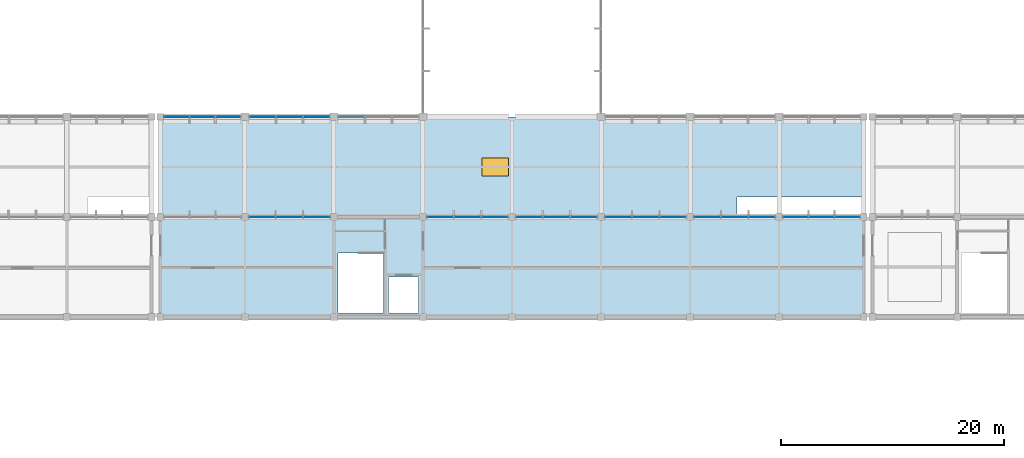
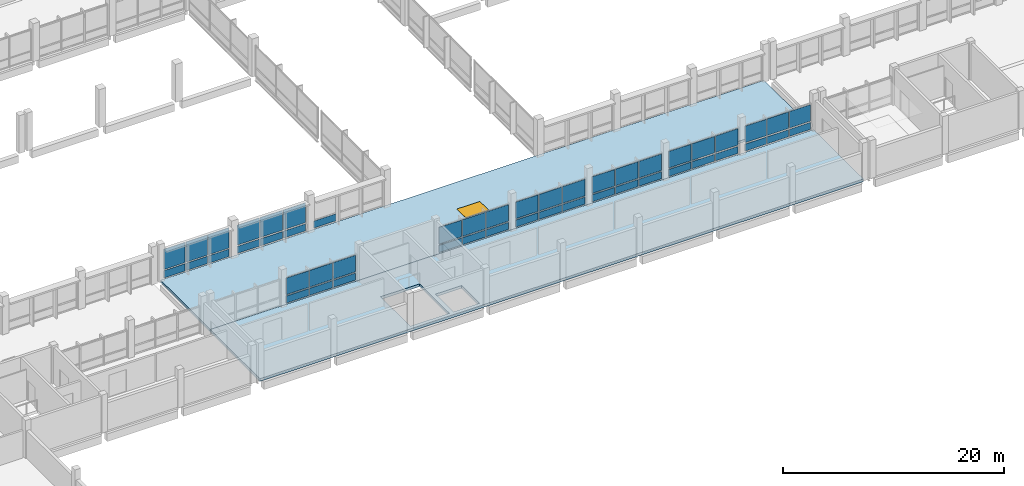
# One storey, part 45 of 70: 49 plates, 2 slabs, 1 window, 1 opening, 9 elements without a shape of their own.
"""IFC4 building model written with IfcOpenShell, lengths in metres."""

from ifc_helpers import new_model, si_unit, direction, frame, origin, origin_2d, place, context, subcontext, project, spatial, polyline, rectangle, outline, extrude, material, layer, layer_set, type_object, element, fill, aggregate, save


model = new_model("IFC4")

# Units and contexts
model_context = context("Model", 3, precision=1e-05, world=origin(), true_north=direction((0.0, 1.0)))
body_context = subcontext(model_context, "Body", "Model", "MODEL_VIEW")
ifc_project = project(units=[si_unit("LENGTHUNIT", "METRE"), si_unit("AREAUNIT", "SQUARE_METRE"), si_unit("VOLUMEUNIT", "CUBIC_METRE"), si_unit("PLANEANGLEUNIT", "RADIAN"), si_unit("MASSUNIT", "GRAM", prefix="KILO"), si_unit("THERMODYNAMICTEMPERATUREUNIT", "KELVIN"), si_unit("POWERUNIT", "WATT")], contexts=[model_context])

# Site, building, storey
site_placement = place(None, origin())
site = spatial("IfcSite", under=ifc_project, at=site_placement, CompositionType="ELEMENT")
building_placement = place(site_placement, origin())
building = spatial("IfcBuilding", under=site, at=building_placement, Name="Kronsvod Quay Wholesale Market", CompositionType="ELEMENT")
storey_placement = place(building_placement, frame((0.0, 0.0, 9.0)))
storey = spatial("IfcBuildingStorey", under=building, at=storey_placement, Name="L02", CompositionType="ELEMENT", Elevation=9.0)

# Curtain wall, plates
ifc_material_1 = material(Name="Thermally broken aluminium and triple low-E glazing", Category="aluminium")
curtain_wall_type_1 = type_object("IfcCurtainWallType", Name="CW_Clerestory80x32", PredefinedType="NOTDEFINED", material=ifc_material_1)
curtain_wall_1_placement = place(storey_placement, origin())
curtain_wall_1 = element("IfcCurtainWall", 1, at=curtain_wall_1_placement, inside=storey, type_object=curtain_wall_type_1, Name="CWGX-L02-644-540", PredefinedType="NOTDEFINED")
ifc_material_2 = material(Name="Insulated aluminium spandrel panel", Category="aluminium")
ifc_layer_1 = layer(ifc_material_2, 0.048095703125)
ifc_layer_set_1 = layer_set([ifc_layer_1], Name="Insulated aluminium spandrel panel")
plate_type_1 = type_object("IfcPlateType", Name="CWPanel_SP2223x820", PredefinedType="CURTAIN_PANEL", material=ifc_layer_set_1)
plate_1_placement = place(storey_placement, frame((65.871337890625, 54.0, 0.1201171875), z_axis=(0.0, 0.0, 1.0), x_axis=(1.0, 0.0, 0.0)))
plate_1 = element("IfcPlate", 2, at=plate_1_placement, type_object=plate_type_1, Name="CWGX-L02-644-540-PS1", PredefinedType="CURTAIN_PANEL", context=body_context, shape_type="SweptSolid", body=[
    extrude(rectangle(XDim=2.222900390625, YDim=0.048095703125, at=origin_2d()), origin(), (0.0, 0.0, 1.0), 0.820068359375),
])
plate_2_placement = place(storey_placement, frame((70.478759765625, 54.0, 0.1201171875), z_axis=(0.0, 0.0, 1.0), x_axis=(1.0, 0.0, 0.0)))
plate_2 = element("IfcPlate", 3, at=plate_2_placement, type_object=plate_type_1, Name="CWGX-L02-644-540-PS3", PredefinedType="CURTAIN_PANEL", context=body_context, shape_type="SweptSolid", body=[
    extrude(rectangle(XDim=2.222900390625, YDim=0.048095703125, at=origin_2d()), origin(), (0.0, 0.0, 1.0), 0.820068359375),
])

ifc_material_3 = material(Name="Thermally broken aluminium and triple low-E glazing", Category="aluminium")
curtain_wall_type_2 = type_object("IfcCurtainWallType", Name="CW_Harbour76x33", PredefinedType="NOTDEFINED", material=ifc_material_3)
curtain_wall_2_placement = place(storey_placement, origin())
curtain_wall_2 = element("IfcCurtainWall", 4, at=curtain_wall_2_placement, inside=storey, type_object=curtain_wall_type_2, Name="CWGX-L02-1200-450", PredefinedType="NOTDEFINED")
ifc_material_4 = material(Name="Insulated aluminium spandrel panel", Category="aluminium")
ifc_layer_2 = layer(ifc_material_4, 0.048095703125)
ifc_layer_set_2 = layer_set([ifc_layer_2], Name="Insulated aluminium spandrel panel")
plate_type_2 = type_object("IfcPlateType", Name="CWPanel_SP2224x775", PredefinedType="CURTAIN_PANEL", material=ifc_layer_set_2)
plate_3_placement = place(storey_placement, frame((126.117919921875, 45.0, 0.150146484375), z_axis=(0.0, 0.0, 1.0), x_axis=(-1.0, 0.0, 0.0)))
plate_3 = element("IfcPlate", 5, at=plate_3_placement, type_object=plate_type_2, Name="CWGX-L02-1200-450-PS1", PredefinedType="CURTAIN_PANEL", context=body_context, shape_type="SweptSolid", body=[
    extrude(rectangle(XDim=2.22412109375, YDim=0.048095703125, at=origin_2d()), origin(), (0.0, 0.0, 1.0), 0.77490234375),
])
plate_4_placement = place(storey_placement, frame((121.482177734375, 45.0, 0.150146484375), z_axis=(0.0, 0.0, 1.0), x_axis=(-1.0, 0.0, 0.0)))
plate_4 = element("IfcPlate", 6, at=plate_4_placement, type_object=plate_type_2, Name="CWGX-L02-1200-450-PS3", PredefinedType="CURTAIN_PANEL", context=body_context, shape_type="SweptSolid", body=[
    extrude(rectangle(XDim=2.22412109375, YDim=0.048095703125, at=origin_2d()), origin(), (0.0, 0.0, 1.0), 0.77490234375),
])

# Plate
ifc_material_5 = material(Name="Insulated aluminium spandrel panel", Category="aluminium")
ifc_layer_3 = layer(ifc_material_5, 0.048095703125)
ifc_layer_set_3 = layer_set([ifc_layer_3], Name="Insulated aluminium spandrel panel")
plate_type_3 = type_object("IfcPlateType", Name="CWPanel_SP2255x820", PredefinedType="CURTAIN_PANEL", material=ifc_layer_set_3)
plate_5_placement = place(storey_placement, frame((68.175048828125, 54.0, 0.1201171875), z_axis=(0.0, 0.0, 1.0), x_axis=(1.0, 0.0, 0.0)))
plate_5 = element("IfcPlate", 7, at=plate_5_placement, type_object=plate_type_3, Name="CWGX-L02-644-540-PS2", PredefinedType="CURTAIN_PANEL", context=body_context, shape_type="SweptSolid", body=[
    extrude(rectangle(XDim=2.2548828125, YDim=0.048095703125, at=origin_2d()), origin(), (0.0, 0.0, 1.0), 0.820068359375),
])

ifc_material_6 = material(Name="Insulated aluminium spandrel panel", Category="aluminium")
ifc_layer_4 = layer(ifc_material_6, 0.048095703125)
ifc_layer_set_4 = layer_set([ifc_layer_4], Name="Insulated aluminium spandrel panel")
plate_type_4 = type_object("IfcPlateType", Name="CWPanel_SP2262x775", PredefinedType="CURTAIN_PANEL", material=ifc_layer_set_4)
plate_6_placement = place(storey_placement, frame((123.800048828125, 45.0, 0.150146484375), z_axis=(0.0, 0.0, 1.0), x_axis=(-1.0, 0.0, 0.0)))
plate_6 = element("IfcPlate", 8, at=plate_6_placement, type_object=plate_type_4, Name="CWGX-L02-1200-450-PS2", PredefinedType="CURTAIN_PANEL", context=body_context, shape_type="SweptSolid", body=[
    extrude(rectangle(XDim=2.261962890625, YDim=0.048095703125, at=origin_2d()), origin(), (0.0, 0.0, 1.0), 0.77490234375),
])

# Curtain wall, plates
curtain_wall_3_placement = place(storey_placement, origin())
curtain_wall_3 = element("IfcCurtainWall", 9, at=curtain_wall_3_placement, inside=storey, type_object=curtain_wall_type_1, Name="CWGX-L02-720-540", PredefinedType="NOTDEFINED")
ifc_material_7 = material(Name="Insulated aluminium spandrel panel", Category="aluminium")
ifc_layer_5 = layer(ifc_material_7, 0.048095703125)
ifc_layer_set_5 = layer_set([ifc_layer_5], Name="Insulated aluminium spandrel panel")
plate_type_5 = type_object("IfcPlateType", Name="CWPanel_SP2324x775", PredefinedType="CURTAIN_PANEL", material=ifc_layer_set_5)
plate_7_placement = place(storey_placement, frame((73.58203125, 54.0, 0.150146484375), z_axis=(0.0, 0.0, 1.0), x_axis=(1.0, 0.0, 0.0)))
plate_7 = element("IfcPlate", 10, at=plate_7_placement, type_object=plate_type_5, Name="CWGX-L02-720-540-PS1", PredefinedType="CURTAIN_PANEL", context=body_context, shape_type="SweptSolid", body=[
    extrude(rectangle(XDim=2.323974609375, YDim=0.048095703125, at=origin_2d()), origin(), (0.0, 0.0, 1.0), 0.77490234375),
])
plate_8_placement = place(storey_placement, frame((78.41796875, 54.0, 0.150146484375), z_axis=(0.0, 0.0, 1.0), x_axis=(1.0, 0.0, 0.0)))
plate_8 = element("IfcPlate", 11, at=plate_8_placement, type_object=plate_type_5, Name="CWGX-L02-720-540-PS3", PredefinedType="CURTAIN_PANEL", context=body_context, shape_type="SweptSolid", body=[
    extrude(rectangle(XDim=2.323974609375, YDim=0.048095703125, at=origin_2d()), origin(), (0.0, 0.0, 1.0), 0.77490234375),
])

# Curtain wall, plate
curtain_wall_4_placement = place(storey_placement, origin())
curtain_wall_4 = element("IfcCurtainWall", 12, at=curtain_wall_4_placement, inside=storey, type_object=curtain_wall_type_1, Name="CWGX-L02-800-540", PredefinedType="NOTDEFINED")
plate_9_placement = place(storey_placement, frame((81.58203125, 54.0, 0.150146484375), z_axis=(0.0, 0.0, 1.0), x_axis=(1.0, 0.0, 0.0)))
plate_9 = element("IfcPlate", 13, at=plate_9_placement, type_object=plate_type_5, Name="CWGX-L02-800-540-PS1", PredefinedType="CURTAIN_PANEL", context=body_context, shape_type="SweptSolid", body=[
    extrude(rectangle(XDim=2.323974609375, YDim=0.048095703125, at=origin_2d()), origin(), (0.0, 0.0, 1.0), 0.77490234375),
])
aggregate(curtain_wall_4, [plate_9])

ifc_material_8 = material(Name="Thermally broken aluminium and triple low-E glazing", Category="aluminium")
curtain_wall_type_3 = type_object("IfcCurtainWallType", Name="CW_Harbour80x33", PredefinedType="NOTDEFINED", material=ifc_material_8)
curtain_wall_5_placement = place(storey_placement, origin())
curtain_wall_5 = element("IfcCurtainWall", 14, at=curtain_wall_5_placement, inside=storey, type_object=curtain_wall_type_3, Name="CWGX-L02-720-450", PredefinedType="NOTDEFINED")
ifc_material_9 = material(Name="Insulated aluminium spandrel panel", Category="aluminium")
ifc_layer_6 = layer(ifc_material_9, 0.048095703125)
ifc_layer_set_6 = layer_set([ifc_layer_6], Name="Insulated aluminium spandrel panel")
plate_type_6 = type_object("IfcPlateType", Name="CWPanel_SP2357x775", PredefinedType="CURTAIN_PANEL", material=ifc_layer_set_6)
plate_10_placement = place(storey_placement, frame((78.451171875, 45.0, 0.150146484375), z_axis=(0.0, 0.0, 1.0), x_axis=(-1.0, 0.0, 0.0)))
plate_10 = element("IfcPlate", 15, at=plate_10_placement, type_object=plate_type_6, Name="CWGX-L02-720-450-PS1", PredefinedType="CURTAIN_PANEL", context=body_context, shape_type="SweptSolid", body=[
    extrude(rectangle(XDim=2.35693359375, YDim=0.048095703125, at=origin_2d()), origin(), (0.0, 0.0, 1.0), 0.77490234375),
])

curtain_wall_6_placement = place(storey_placement, origin())
curtain_wall_6 = element("IfcCurtainWall", 16, at=curtain_wall_6_placement, inside=storey, type_object=curtain_wall_type_3, Name="CWGX-L02-880-450", PredefinedType="NOTDEFINED")
plate_11_placement = place(storey_placement, frame((94.451171875, 45.0, 0.150146484375), z_axis=(0.0, 0.0, 1.0), x_axis=(-1.0, 0.0, 0.0)))
plate_11 = element("IfcPlate", 17, at=plate_11_placement, type_object=plate_type_6, Name="CWGX-L02-880-450-PS1", PredefinedType="CURTAIN_PANEL", context=body_context, shape_type="SweptSolid", body=[
    extrude(rectangle(XDim=2.35693359375, YDim=0.048095703125, at=origin_2d()), origin(), (0.0, 0.0, 1.0), 0.77490234375),
])

curtain_wall_7_placement = place(storey_placement, origin())
curtain_wall_7 = element("IfcCurtainWall", 18, at=curtain_wall_7_placement, inside=storey, type_object=curtain_wall_type_3, Name="CWGX-L02-960-450", PredefinedType="NOTDEFINED")
plate_12_placement = place(storey_placement, frame((102.451171875, 45.0, 0.150146484375), z_axis=(0.0, 0.0, 1.0), x_axis=(-1.0, 0.0, 0.0)))
plate_12 = element("IfcPlate", 19, at=plate_12_placement, type_object=plate_type_6, Name="CWGX-L02-960-450-PS1", PredefinedType="CURTAIN_PANEL", context=body_context, shape_type="SweptSolid", body=[
    extrude(rectangle(XDim=2.35693359375, YDim=0.048095703125, at=origin_2d()), origin(), (0.0, 0.0, 1.0), 0.77490234375),
])

curtain_wall_8_placement = place(storey_placement, origin())
curtain_wall_8 = element("IfcCurtainWall", 20, at=curtain_wall_8_placement, inside=storey, type_object=curtain_wall_type_3, Name="CWGX-L02-1040-450", PredefinedType="NOTDEFINED")
plate_13_placement = place(storey_placement, frame((110.451171875, 45.0, 0.150146484375), z_axis=(0.0, 0.0, 1.0), x_axis=(-1.0, 0.0, 0.0)))
plate_13 = element("IfcPlate", 21, at=plate_13_placement, type_object=plate_type_6, Name="CWGX-L02-1040-450-PS1", PredefinedType="CURTAIN_PANEL", context=body_context, shape_type="SweptSolid", body=[
    extrude(rectangle(XDim=2.35693359375, YDim=0.048095703125, at=origin_2d()), origin(), (0.0, 0.0, 1.0), 0.77490234375),
])

curtain_wall_9_placement = place(storey_placement, origin())
curtain_wall_9 = element("IfcCurtainWall", 22, at=curtain_wall_9_placement, inside=storey, type_object=curtain_wall_type_3, Name="CWGX-L02-1120-450", PredefinedType="NOTDEFINED")
plate_14_placement = place(storey_placement, frame((118.451171875, 45.0, 0.150146484375), z_axis=(0.0, 0.0, 1.0), x_axis=(-1.0, 0.0, 0.0)))
plate_14 = element("IfcPlate", 23, at=plate_14_placement, type_object=plate_type_6, Name="CWGX-L02-1120-450-PS1", PredefinedType="CURTAIN_PANEL", context=body_context, shape_type="SweptSolid", body=[
    extrude(rectangle(XDim=2.35693359375, YDim=0.048095703125, at=origin_2d()), origin(), (0.0, 0.0, 1.0), 0.77490234375),
])

# Plate
ifc_material_10 = material(Name="Insulated aluminium spandrel panel", Category="aluminium")
ifc_layer_7 = layer(ifc_material_10, 0.048095703125)
ifc_layer_set_7 = layer_set([ifc_layer_7], Name="Insulated aluminium spandrel panel")
plate_type_7 = type_object("IfcPlateType", Name="CWPanel_SP2358x775", PredefinedType="CURTAIN_PANEL", material=ifc_layer_set_7)
plate_15_placement = place(storey_placement, frame((73.548828125, 45.0, 0.150146484375), z_axis=(0.0, 0.0, 1.0), x_axis=(-1.0, 0.0, 0.0)))
plate_15 = element("IfcPlate", 24, at=plate_15_placement, type_object=plate_type_7, Name="CWGX-L02-720-450-PS3", PredefinedType="CURTAIN_PANEL", context=body_context, shape_type="SweptSolid", body=[
    extrude(rectangle(XDim=2.35791015625, YDim=0.048095703125, at=origin_2d()), origin(), (0.0, 0.0, 1.0), 0.77490234375),
])

plate_16_placement = place(storey_placement, frame((89.548828125, 45.0, 0.150146484375), z_axis=(0.0, 0.0, 1.0), x_axis=(-1.0, 0.0, 0.0)))
plate_16 = element("IfcPlate", 25, at=plate_16_placement, type_object=plate_type_7, Name="CWGX-L02-880-450-PS3", PredefinedType="CURTAIN_PANEL", context=body_context, shape_type="SweptSolid", body=[
    extrude(rectangle(XDim=2.35791015625, YDim=0.048095703125, at=origin_2d()), origin(), (0.0, 0.0, 1.0), 0.77490234375),
])

plate_17_placement = place(storey_placement, frame((97.548828125, 45.0, 0.150146484375), z_axis=(0.0, 0.0, 1.0), x_axis=(-1.0, 0.0, 0.0)))
plate_17 = element("IfcPlate", 26, at=plate_17_placement, type_object=plate_type_7, Name="CWGX-L02-960-450-PS3", PredefinedType="CURTAIN_PANEL", context=body_context, shape_type="SweptSolid", body=[
    extrude(rectangle(XDim=2.35791015625, YDim=0.048095703125, at=origin_2d()), origin(), (0.0, 0.0, 1.0), 0.77490234375),
])

plate_18_placement = place(storey_placement, frame((105.548828125, 45.0, 0.150146484375), z_axis=(0.0, 0.0, 1.0), x_axis=(-1.0, 0.0, 0.0)))
plate_18 = element("IfcPlate", 27, at=plate_18_placement, type_object=plate_type_7, Name="CWGX-L02-1040-450-PS3", PredefinedType="CURTAIN_PANEL", context=body_context, shape_type="SweptSolid", body=[
    extrude(rectangle(XDim=2.35791015625, YDim=0.048095703125, at=origin_2d()), origin(), (0.0, 0.0, 1.0), 0.77490234375),
])

plate_19_placement = place(storey_placement, frame((113.548828125, 45.0, 0.150146484375), z_axis=(0.0, 0.0, 1.0), x_axis=(-1.0, 0.0, 0.0)))
plate_19 = element("IfcPlate", 28, at=plate_19_placement, type_object=plate_type_7, Name="CWGX-L02-1120-450-PS3", PredefinedType="CURTAIN_PANEL", context=body_context, shape_type="SweptSolid", body=[
    extrude(rectangle(XDim=2.35791015625, YDim=0.048095703125, at=origin_2d()), origin(), (0.0, 0.0, 1.0), 0.77490234375),
])

ifc_material_11 = material(Name="Insulated aluminium spandrel panel", Category="aluminium")
ifc_layer_8 = layer(ifc_material_11, 0.048095703125)
ifc_layer_set_8 = layer_set([ifc_layer_8], Name="Insulated aluminium spandrel panel")
plate_type_8 = type_object("IfcPlateType", Name="CWPanel_SP2362x775", PredefinedType="CURTAIN_PANEL", material=ifc_layer_set_8)
plate_20_placement = place(storey_placement, frame((76.0, 54.0, 0.150146484375), z_axis=(0.0, 0.0, 1.0), x_axis=(1.0, 0.0, 0.0)))
plate_20 = element("IfcPlate", 29, at=plate_20_placement, type_object=plate_type_8, Name="CWGX-L02-720-540-PS2", PredefinedType="CURTAIN_PANEL", context=body_context, shape_type="SweptSolid", body=[
    extrude(rectangle(XDim=2.362060546875, YDim=0.048095703125, at=origin_2d()), origin(), (0.0, 0.0, 1.0), 0.77490234375),
])

ifc_material_12 = material(Name="Insulated aluminium spandrel panel", Category="aluminium")
ifc_layer_9 = layer(ifc_material_12, 0.048095703125)
ifc_layer_set_9 = layer_set([ifc_layer_9], Name="Insulated aluminium spandrel panel")
plate_type_9 = type_object("IfcPlateType", Name="CWPanel_SP2395x775", PredefinedType="CURTAIN_PANEL", material=ifc_layer_set_9)
plate_21_placement = place(storey_placement, frame((76.0, 45.0, 0.150146484375), z_axis=(0.0, 0.0, 1.0), x_axis=(-1.0, 0.0, 0.0)))
plate_21 = element("IfcPlate", 30, at=plate_21_placement, type_object=plate_type_9, Name="CWGX-L02-720-450-PS2", PredefinedType="CURTAIN_PANEL", context=body_context, shape_type="SweptSolid", body=[
    extrude(rectangle(XDim=2.39501953125, YDim=0.048095703125, at=origin_2d()), origin(), (0.0, 0.0, 1.0), 0.77490234375),
])

plate_22_placement = place(storey_placement, frame((92.0, 45.0, 0.150146484375), z_axis=(0.0, 0.0, 1.0), x_axis=(-1.0, 0.0, 0.0)))
plate_22 = element("IfcPlate", 31, at=plate_22_placement, type_object=plate_type_9, Name="CWGX-L02-880-450-PS2", PredefinedType="CURTAIN_PANEL", context=body_context, shape_type="SweptSolid", body=[
    extrude(rectangle(XDim=2.39501953125, YDim=0.048095703125, at=origin_2d()), origin(), (0.0, 0.0, 1.0), 0.77490234375),
])

plate_23_placement = place(storey_placement, frame((100.0, 45.0, 0.150146484375), z_axis=(0.0, 0.0, 1.0), x_axis=(-1.0, 0.0, 0.0)))
plate_23 = element("IfcPlate", 32, at=plate_23_placement, type_object=plate_type_9, Name="CWGX-L02-960-450-PS2", PredefinedType="CURTAIN_PANEL", context=body_context, shape_type="SweptSolid", body=[
    extrude(rectangle(XDim=2.39501953125, YDim=0.048095703125, at=origin_2d()), origin(), (0.0, 0.0, 1.0), 0.77490234375),
])

plate_24_placement = place(storey_placement, frame((108.0, 45.0, 0.150146484375), z_axis=(0.0, 0.0, 1.0), x_axis=(-1.0, 0.0, 0.0)))
plate_24 = element("IfcPlate", 33, at=plate_24_placement, type_object=plate_type_9, Name="CWGX-L02-1040-450-PS2", PredefinedType="CURTAIN_PANEL", context=body_context, shape_type="SweptSolid", body=[
    extrude(rectangle(XDim=2.39501953125, YDim=0.048095703125, at=origin_2d()), origin(), (0.0, 0.0, 1.0), 0.77490234375),
])

plate_25_placement = place(storey_placement, frame((116.0, 45.0, 0.150146484375), z_axis=(0.0, 0.0, 1.0), x_axis=(-1.0, 0.0, 0.0)))
plate_25 = element("IfcPlate", 34, at=plate_25_placement, type_object=plate_type_9, Name="CWGX-L02-1120-450-PS2", PredefinedType="CURTAIN_PANEL", context=body_context, shape_type="SweptSolid", body=[
    extrude(rectangle(XDim=2.39501953125, YDim=0.048095703125, at=origin_2d()), origin(), (0.0, 0.0, 1.0), 0.77490234375),
])

ifc_material_13 = material(Name="Triple low-E insulated glazing", Category="glass")
ifc_layer_10 = layer(ifc_material_13, 0.0439453125)
ifc_layer_set_10 = layer_set([ifc_layer_10], Name="Triple low-E insulated glazing")
plate_type_10 = type_object("IfcPlateType", Name="CWPanel_VS2223x2240", PredefinedType="CURTAIN_PANEL", material=ifc_layer_set_10)
plate_26_placement = place(storey_placement, frame((65.871337890625, 54.0, 1.06005859375), z_axis=(0.0, 0.0, 1.0), x_axis=(1.0, 0.0, 0.0)))
plate_26 = element("IfcPlate", 35, at=plate_26_placement, type_object=plate_type_10, Name="CWGX-L02-644-540-PV1", PredefinedType="CURTAIN_PANEL", context=body_context, shape_type="SweptSolid", body=[
    extrude(rectangle(XDim=2.222900390625, YDim=0.0439453125, at=origin_2d()), origin(), (0.0, 0.0, 1.0), 2.239990234375),
])

plate_27_placement = place(storey_placement, frame((70.478759765625, 54.0, 1.06005859375), z_axis=(0.0, 0.0, 1.0), x_axis=(1.0, 0.0, 0.0)))
plate_27 = element("IfcPlate", 36, at=plate_27_placement, type_object=plate_type_10, Name="CWGX-L02-644-540-PV3", PredefinedType="CURTAIN_PANEL", context=body_context, shape_type="SweptSolid", body=[
    extrude(rectangle(XDim=2.222900390625, YDim=0.0439453125, at=origin_2d()), origin(), (0.0, 0.0, 1.0), 2.239990234375),
])

ifc_material_14 = material(Name="Triple low-E insulated glazing", Category="glass")
ifc_layer_11 = layer(ifc_material_14, 0.0439453125)
ifc_layer_set_11 = layer_set([ifc_layer_11], Name="Triple low-E insulated glazing")
plate_type_11 = type_object("IfcPlateType", Name="CWPanel_VS2224x1825", PredefinedType="CURTAIN_PANEL", material=ifc_layer_set_11)
plate_28_placement = place(storey_placement, frame((126.117919921875, 45.0, 1.0751953125), z_axis=(0.0, 0.0, 1.0), x_axis=(-1.0, 0.0, 0.0)))
plate_28 = element("IfcPlate", 37, at=plate_28_placement, type_object=plate_type_11, Name="CWGX-L02-1200-450-PV1", PredefinedType="CURTAIN_PANEL", context=body_context, shape_type="SweptSolid", body=[
    extrude(rectangle(XDim=2.22412109375, YDim=0.0439453125, at=origin_2d()), origin(), (0.0, 0.0, 1.0), 1.824951171875),
])

plate_29_placement = place(storey_placement, frame((121.482177734375, 45.0, 1.0751953125), z_axis=(0.0, 0.0, 1.0), x_axis=(-1.0, 0.0, 0.0)))
plate_29 = element("IfcPlate", 38, at=plate_29_placement, type_object=plate_type_11, Name="CWGX-L02-1200-450-PV3", PredefinedType="CURTAIN_PANEL", context=body_context, shape_type="SweptSolid", body=[
    extrude(rectangle(XDim=2.22412109375, YDim=0.0439453125, at=origin_2d()), origin(), (0.0, 0.0, 1.0), 1.824951171875),
])

ifc_material_15 = material(Name="Triple low-E insulated glazing", Category="glass")
ifc_layer_12 = layer(ifc_material_15, 0.0439453125)
ifc_layer_set_12 = layer_set([ifc_layer_12], Name="Triple low-E insulated glazing")
plate_type_12 = type_object("IfcPlateType", Name="CWPanel_VS2255x2240", PredefinedType="CURTAIN_PANEL", material=ifc_layer_set_12)
plate_30_placement = place(storey_placement, frame((68.175048828125, 54.0, 1.06005859375), z_axis=(0.0, 0.0, 1.0), x_axis=(1.0, 0.0, 0.0)))
plate_30 = element("IfcPlate", 39, at=plate_30_placement, type_object=plate_type_12, Name="CWGX-L02-644-540-PV2", PredefinedType="CURTAIN_PANEL", context=body_context, shape_type="SweptSolid", body=[
    extrude(rectangle(XDim=2.2548828125, YDim=0.0439453125, at=origin_2d()), origin(), (0.0, 0.0, 1.0), 2.239990234375),
])

aggregate(curtain_wall_1, [plate_1, plate_26, plate_5, plate_30, plate_2, plate_27])

ifc_material_16 = material(Name="Triple low-E insulated glazing", Category="glass")
ifc_layer_13 = layer(ifc_material_16, 0.0439453125)
ifc_layer_set_13 = layer_set([ifc_layer_13], Name="Triple low-E insulated glazing")
plate_type_13 = type_object("IfcPlateType", Name="CWPanel_VS2262x1825", PredefinedType="CURTAIN_PANEL", material=ifc_layer_set_13)
plate_31_placement = place(storey_placement, frame((123.800048828125, 45.0, 1.0751953125), z_axis=(0.0, 0.0, 1.0), x_axis=(-1.0, 0.0, 0.0)))
plate_31 = element("IfcPlate", 40, at=plate_31_placement, type_object=plate_type_13, Name="CWGX-L02-1200-450-PV2", PredefinedType="CURTAIN_PANEL", context=body_context, shape_type="SweptSolid", body=[
    extrude(rectangle(XDim=2.261962890625, YDim=0.0439453125, at=origin_2d()), origin(), (0.0, 0.0, 1.0), 1.824951171875),
])

aggregate(curtain_wall_2, [plate_3, plate_28, plate_6, plate_31, plate_4, plate_29])

ifc_material_17 = material(Name="Triple low-E insulated glazing", Category="glass")
ifc_layer_14 = layer(ifc_material_17, 0.0439453125)
ifc_layer_set_14 = layer_set([ifc_layer_14], Name="Triple low-E insulated glazing")
plate_type_14 = type_object("IfcPlateType", Name="CWPanel_VS2324x2195", PredefinedType="CURTAIN_PANEL", material=ifc_layer_set_14)
plate_32_placement = place(storey_placement, frame((73.58203125, 54.0, 1.0751953125), z_axis=(0.0, 0.0, 1.0), x_axis=(1.0, 0.0, 0.0)))
plate_32 = element("IfcPlate", 41, at=plate_32_placement, type_object=plate_type_14, Name="CWGX-L02-720-540-PV1", PredefinedType="CURTAIN_PANEL", context=body_context, shape_type="SweptSolid", body=[
    extrude(rectangle(XDim=2.323974609375, YDim=0.0439453125, at=origin_2d()), origin(), (0.0, 0.0, 1.0), 2.195068359375),
])

plate_33_placement = place(storey_placement, frame((78.41796875, 54.0, 1.0751953125), z_axis=(0.0, 0.0, 1.0), x_axis=(1.0, 0.0, 0.0)))
plate_33 = element("IfcPlate", 42, at=plate_33_placement, type_object=plate_type_14, Name="CWGX-L02-720-540-PV3", PredefinedType="CURTAIN_PANEL", context=body_context, shape_type="SweptSolid", body=[
    extrude(rectangle(XDim=2.323974609375, YDim=0.0439453125, at=origin_2d()), origin(), (0.0, 0.0, 1.0), 2.195068359375),
])

ifc_material_18 = material(Name="Triple low-E insulated glazing", Category="glass")
ifc_layer_15 = layer(ifc_material_18, 0.0439453125)
ifc_layer_set_15 = layer_set([ifc_layer_15], Name="Triple low-E insulated glazing")
plate_type_15 = type_object("IfcPlateType", Name="CWPanel_VS2357x1825", PredefinedType="CURTAIN_PANEL", material=ifc_layer_set_15)
plate_34_placement = place(storey_placement, frame((78.451171875, 45.0, 1.0751953125), z_axis=(0.0, 0.0, 1.0), x_axis=(-1.0, 0.0, 0.0)))
plate_34 = element("IfcPlate", 43, at=plate_34_placement, type_object=plate_type_15, Name="CWGX-L02-720-450-PV1", PredefinedType="CURTAIN_PANEL", context=body_context, shape_type="SweptSolid", body=[
    extrude(rectangle(XDim=2.35693359375, YDim=0.0439453125, at=origin_2d()), origin(), (0.0, 0.0, 1.0), 1.824951171875),
])

plate_35_placement = place(storey_placement, frame((94.451171875, 45.0, 1.0751953125), z_axis=(0.0, 0.0, 1.0), x_axis=(-1.0, 0.0, 0.0)))
plate_35 = element("IfcPlate", 44, at=plate_35_placement, type_object=plate_type_15, Name="CWGX-L02-880-450-PV1", PredefinedType="CURTAIN_PANEL", context=body_context, shape_type="SweptSolid", body=[
    extrude(rectangle(XDim=2.35693359375, YDim=0.0439453125, at=origin_2d()), origin(), (0.0, 0.0, 1.0), 1.824951171875),
])

plate_36_placement = place(storey_placement, frame((102.451171875, 45.0, 1.0751953125), z_axis=(0.0, 0.0, 1.0), x_axis=(-1.0, 0.0, 0.0)))
plate_36 = element("IfcPlate", 45, at=plate_36_placement, type_object=plate_type_15, Name="CWGX-L02-960-450-PV1", PredefinedType="CURTAIN_PANEL", context=body_context, shape_type="SweptSolid", body=[
    extrude(rectangle(XDim=2.35693359375, YDim=0.0439453125, at=origin_2d()), origin(), (0.0, 0.0, 1.0), 1.824951171875),
])

plate_37_placement = place(storey_placement, frame((110.451171875, 45.0, 1.0751953125), z_axis=(0.0, 0.0, 1.0), x_axis=(-1.0, 0.0, 0.0)))
plate_37 = element("IfcPlate", 46, at=plate_37_placement, type_object=plate_type_15, Name="CWGX-L02-1040-450-PV1", PredefinedType="CURTAIN_PANEL", context=body_context, shape_type="SweptSolid", body=[
    extrude(rectangle(XDim=2.35693359375, YDim=0.0439453125, at=origin_2d()), origin(), (0.0, 0.0, 1.0), 1.824951171875),
])

plate_38_placement = place(storey_placement, frame((118.451171875, 45.0, 1.0751953125), z_axis=(0.0, 0.0, 1.0), x_axis=(-1.0, 0.0, 0.0)))
plate_38 = element("IfcPlate", 47, at=plate_38_placement, type_object=plate_type_15, Name="CWGX-L02-1120-450-PV1", PredefinedType="CURTAIN_PANEL", context=body_context, shape_type="SweptSolid", body=[
    extrude(rectangle(XDim=2.35693359375, YDim=0.0439453125, at=origin_2d()), origin(), (0.0, 0.0, 1.0), 1.824951171875),
])

ifc_material_19 = material(Name="Triple low-E insulated glazing", Category="glass")
ifc_layer_16 = layer(ifc_material_19, 0.0439453125)
ifc_layer_set_16 = layer_set([ifc_layer_16], Name="Triple low-E insulated glazing")
plate_type_16 = type_object("IfcPlateType", Name="CWPanel_VS2358x1825", PredefinedType="CURTAIN_PANEL", material=ifc_layer_set_16)
plate_39_placement = place(storey_placement, frame((73.548828125, 45.0, 1.0751953125), z_axis=(0.0, 0.0, 1.0), x_axis=(-1.0, 0.0, 0.0)))
plate_39 = element("IfcPlate", 48, at=plate_39_placement, type_object=plate_type_16, Name="CWGX-L02-720-450-PV3", PredefinedType="CURTAIN_PANEL", context=body_context, shape_type="SweptSolid", body=[
    extrude(rectangle(XDim=2.35791015625, YDim=0.0439453125, at=origin_2d()), origin(), (0.0, 0.0, 1.0), 1.824951171875),
])

plate_40_placement = place(storey_placement, frame((89.548828125, 45.0, 1.0751953125), z_axis=(0.0, 0.0, 1.0), x_axis=(-1.0, 0.0, 0.0)))
plate_40 = element("IfcPlate", 49, at=plate_40_placement, type_object=plate_type_16, Name="CWGX-L02-880-450-PV3", PredefinedType="CURTAIN_PANEL", context=body_context, shape_type="SweptSolid", body=[
    extrude(rectangle(XDim=2.35791015625, YDim=0.0439453125, at=origin_2d()), origin(), (0.0, 0.0, 1.0), 1.824951171875),
])

plate_41_placement = place(storey_placement, frame((97.548828125, 45.0, 1.0751953125), z_axis=(0.0, 0.0, 1.0), x_axis=(-1.0, 0.0, 0.0)))
plate_41 = element("IfcPlate", 50, at=plate_41_placement, type_object=plate_type_16, Name="CWGX-L02-960-450-PV3", PredefinedType="CURTAIN_PANEL", context=body_context, shape_type="SweptSolid", body=[
    extrude(rectangle(XDim=2.35791015625, YDim=0.0439453125, at=origin_2d()), origin(), (0.0, 0.0, 1.0), 1.824951171875),
])

plate_42_placement = place(storey_placement, frame((105.548828125, 45.0, 1.0751953125), z_axis=(0.0, 0.0, 1.0), x_axis=(-1.0, 0.0, 0.0)))
plate_42 = element("IfcPlate", 51, at=plate_42_placement, type_object=plate_type_16, Name="CWGX-L02-1040-450-PV3", PredefinedType="CURTAIN_PANEL", context=body_context, shape_type="SweptSolid", body=[
    extrude(rectangle(XDim=2.35791015625, YDim=0.0439453125, at=origin_2d()), origin(), (0.0, 0.0, 1.0), 1.824951171875),
])

plate_43_placement = place(storey_placement, frame((113.548828125, 45.0, 1.0751953125), z_axis=(0.0, 0.0, 1.0), x_axis=(-1.0, 0.0, 0.0)))
plate_43 = element("IfcPlate", 52, at=plate_43_placement, type_object=plate_type_16, Name="CWGX-L02-1120-450-PV3", PredefinedType="CURTAIN_PANEL", context=body_context, shape_type="SweptSolid", body=[
    extrude(rectangle(XDim=2.35791015625, YDim=0.0439453125, at=origin_2d()), origin(), (0.0, 0.0, 1.0), 1.824951171875),
])

ifc_material_20 = material(Name="Triple low-E insulated glazing", Category="glass")
ifc_layer_17 = layer(ifc_material_20, 0.0439453125)
ifc_layer_set_17 = layer_set([ifc_layer_17], Name="Triple low-E insulated glazing")
plate_type_17 = type_object("IfcPlateType", Name="CWPanel_VS2362x2195", PredefinedType="CURTAIN_PANEL", material=ifc_layer_set_17)
plate_44_placement = place(storey_placement, frame((76.0, 54.0, 1.0751953125), z_axis=(0.0, 0.0, 1.0), x_axis=(1.0, 0.0, 0.0)))
plate_44 = element("IfcPlate", 53, at=plate_44_placement, type_object=plate_type_17, Name="CWGX-L02-720-540-PV2", PredefinedType="CURTAIN_PANEL", context=body_context, shape_type="SweptSolid", body=[
    extrude(rectangle(XDim=2.362060546875, YDim=0.0439453125, at=origin_2d()), origin(), (0.0, 0.0, 1.0), 2.195068359375),
])

aggregate(curtain_wall_3, [plate_7, plate_32, plate_20, plate_44, plate_8, plate_33])

ifc_material_21 = material(Name="Triple low-E insulated glazing", Category="glass")
ifc_layer_18 = layer(ifc_material_21, 0.0439453125)
ifc_layer_set_18 = layer_set([ifc_layer_18], Name="Triple low-E insulated glazing")
plate_type_18 = type_object("IfcPlateType", Name="CWPanel_VS2395x1825", PredefinedType="CURTAIN_PANEL", material=ifc_layer_set_18)
plate_45_placement = place(storey_placement, frame((76.0, 45.0, 1.0751953125), z_axis=(0.0, 0.0, 1.0), x_axis=(-1.0, 0.0, 0.0)))
plate_45 = element("IfcPlate", 54, at=plate_45_placement, type_object=plate_type_18, Name="CWGX-L02-720-450-PV2", PredefinedType="CURTAIN_PANEL", context=body_context, shape_type="SweptSolid", body=[
    extrude(rectangle(XDim=2.39501953125, YDim=0.0439453125, at=origin_2d()), origin(), (0.0, 0.0, 1.0), 1.824951171875),
])

aggregate(curtain_wall_5, [plate_10, plate_34, plate_21, plate_45, plate_15, plate_39])

plate_46_placement = place(storey_placement, frame((92.0, 45.0, 1.0751953125), z_axis=(0.0, 0.0, 1.0), x_axis=(-1.0, 0.0, 0.0)))
plate_46 = element("IfcPlate", 55, at=plate_46_placement, type_object=plate_type_18, Name="CWGX-L02-880-450-PV2", PredefinedType="CURTAIN_PANEL", context=body_context, shape_type="SweptSolid", body=[
    extrude(rectangle(XDim=2.39501953125, YDim=0.0439453125, at=origin_2d()), origin(), (0.0, 0.0, 1.0), 1.824951171875),
])

aggregate(curtain_wall_6, [plate_11, plate_35, plate_22, plate_46, plate_16, plate_40])

plate_47_placement = place(storey_placement, frame((100.0, 45.0, 1.0751953125), z_axis=(0.0, 0.0, 1.0), x_axis=(-1.0, 0.0, 0.0)))
plate_47 = element("IfcPlate", 56, at=plate_47_placement, type_object=plate_type_18, Name="CWGX-L02-960-450-PV2", PredefinedType="CURTAIN_PANEL", context=body_context, shape_type="SweptSolid", body=[
    extrude(rectangle(XDim=2.39501953125, YDim=0.0439453125, at=origin_2d()), origin(), (0.0, 0.0, 1.0), 1.824951171875),
])

aggregate(curtain_wall_7, [plate_12, plate_36, plate_23, plate_47, plate_17, plate_41])

plate_48_placement = place(storey_placement, frame((108.0, 45.0, 1.0751953125), z_axis=(0.0, 0.0, 1.0), x_axis=(-1.0, 0.0, 0.0)))
plate_48 = element("IfcPlate", 57, at=plate_48_placement, type_object=plate_type_18, Name="CWGX-L02-1040-450-PV2", PredefinedType="CURTAIN_PANEL", context=body_context, shape_type="SweptSolid", body=[
    extrude(rectangle(XDim=2.39501953125, YDim=0.0439453125, at=origin_2d()), origin(), (0.0, 0.0, 1.0), 1.824951171875),
])

aggregate(curtain_wall_8, [plate_13, plate_37, plate_24, plate_48, plate_18, plate_42])

plate_49_placement = place(storey_placement, frame((116.0, 45.0, 1.0751953125), z_axis=(0.0, 0.0, 1.0), x_axis=(-1.0, 0.0, 0.0)))
plate_49 = element("IfcPlate", 58, at=plate_49_placement, type_object=plate_type_18, Name="CWGX-L02-1120-450-PV2", PredefinedType="CURTAIN_PANEL", context=body_context, shape_type="SweptSolid", body=[
    extrude(rectangle(XDim=2.39501953125, YDim=0.0439453125, at=origin_2d()), origin(), (0.0, 0.0, 1.0), 1.824951171875),
])

aggregate(curtain_wall_9, [plate_14, plate_38, plate_25, plate_49, plate_19, plate_43])

# Slab, opening, window
ifc_material_22 = material(Name="Precast concrete C40/50", Category="concrete")
ifc_layer_19 = layer(ifc_material_22, 0.260009765625)
ifc_layer_set_19 = layer_set([ifc_layer_19], Name="Precast concrete C40/50")
slab_type_1 = type_object("IfcSlabType", Name="Slab_FlatRoof260", PredefinedType="ROOF", material=ifc_layer_set_19)
slab_1_placement = place(storey_placement, frame((0.0, 0.0, -0.260009765625)))
slab_1 = element("IfcSlab", 59, at=slab_1_placement, inside=storey, type_object=slab_type_1, Name="SLB-L02-117", PredefinedType="ROOF", context=body_context, shape_type="SweptSolid", body=[
    extrude(outline(polyline([(64.419921875, 45.0), (116.2099609375, 45.0), (116.2099609375, 46.800048828125), (127.580078125, 46.800048828125), (127.580078125, 54.0), (64.419921875, 54.0), (64.419921875, 45.0)])), origin(), (0.0, 0.0, 1.0), 0.260009765625),
])
opening_placement = place(slab_1_placement, frame((94.5, 49.5, 0.0)))
opening = element("IfcOpeningElement", 60, at=opening_placement, cuts=slab_1, Name="Opening SKY-03", PredefinedType="OPENING", context=body_context, shape_type="SweptSolid", body=[
    extrude(rectangle(XDim=2.39990234375, YDim=1.60009765625, at=origin_2d()), frame((0.0, 0.0, -0.010009765625)), (0.0, 0.0, 1.0), 0.280029296875),
])
ifc_material_23 = material(Name="Thermally broken aluminium and triple low-E glazing", Category="aluminium")
window_type = type_object("IfcWindowType", Name="Skylight_Daylight240x160", PartitioningType="DOUBLE_PANEL_HORIZONTAL", PredefinedType="SKYLIGHT", material=ifc_material_23)
window_placement = place(opening_placement, frame((0.0, 0.0, 0.2099609375)))
window = element("IfcWindow", 61, at=window_placement, inside=storey, type_object=window_type, Name="SKY-03", OverallHeight=1.60009765625, OverallWidth=2.39990234375, PartitioningType="SINGLE_PANEL", PredefinedType="SKYLIGHT", context=body_context, shape_type="SweptSolid", body=[
    extrude(rectangle(XDim=2.39990234375, YDim=1.60009765625, at=origin_2d()), origin(), (0.0, 0.0, 1.0), 0.050048828125),
])
fill(opening, window)

# Slab
ifc_material_24 = material(Name="Concrete C35/45", Category="concrete")
ifc_layer_20 = layer(ifc_material_24, 0.300048828125)
ifc_layer_set_20 = layer_set([ifc_layer_20], Name="Concrete C35/45")
slab_type_2 = type_object("IfcSlabType", Name="Slab_FloorCold300", PredefinedType="FLOOR", material=ifc_layer_set_20)
slab_2_placement = place(storey_placement, frame((0.0, 0.0, -0.300048828125)))
element("IfcSlab", 62, at=slab_2_placement, inside=storey, type_object=slab_type_2, Name="SLB-L02-116", PredefinedType="FLOOR", context=body_context, shape_type="SweptSolid", body=[
    extrude(outline(polyline([(64.419921875, 36.0), (127.580078125, 36.0), (127.580078125, 45.0), (64.419921875, 45.0), (64.419921875, 36.0)]), holes=[polyline([(80.3798828125, 36.3798828125), (84.4599609375, 36.3798828125), (84.4599609375, 41.75), (80.3798828125, 41.75), (80.3798828125, 36.3798828125)]), polyline([(84.89990234375, 36.3798828125), (87.6201171875, 36.3798828125), (87.6201171875, 39.6201171875), (84.89990234375, 39.6201171875), (84.89990234375, 36.3798828125)])]), origin(), (0.0, 0.0, 1.0), 0.300048828125),
])

save(model, "model.ifc")
